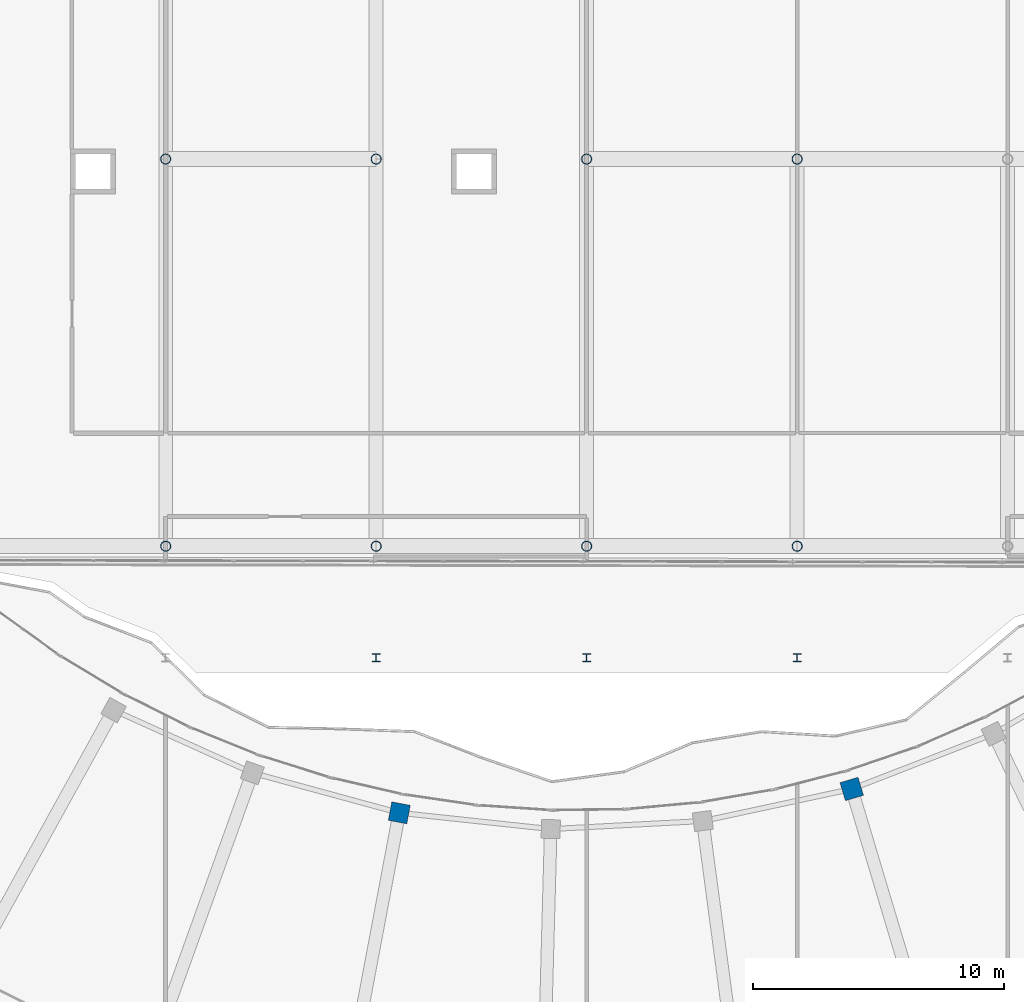
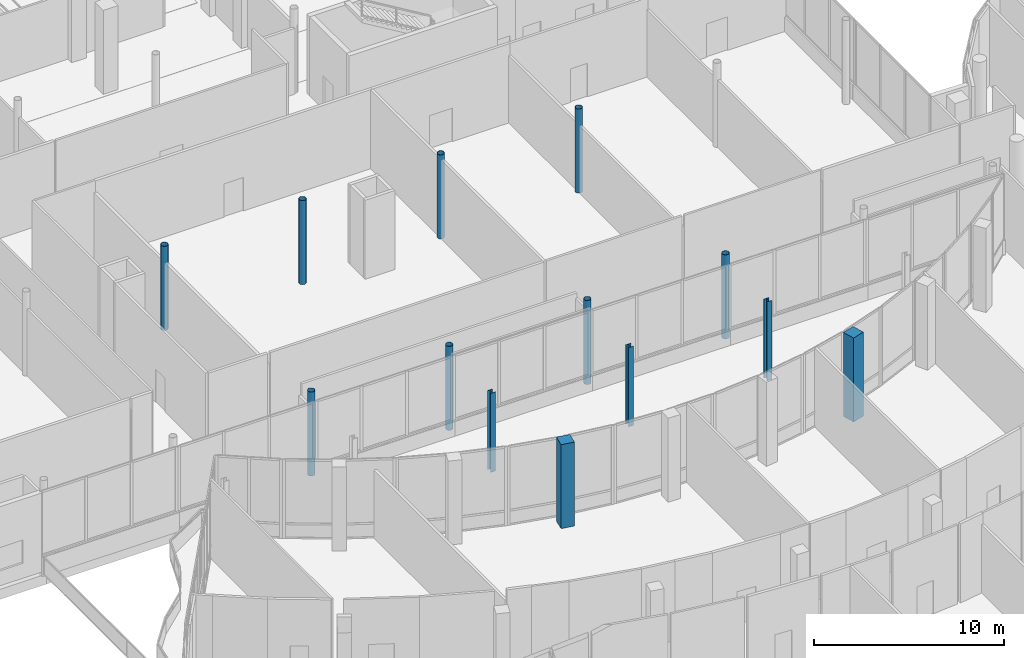
# One storey, part 3 of 158: 13 columns.
"""IFC4 building model written with IfcOpenShell, lengths in metres."""

from ifc_helpers import new_model, si_unit, direction, frame, origin, origin_2d, place, context, subcontext, project, spatial, rectangle, hollow_circle, i_section, extrude, material, material_profile, profile_set, type_object, element, save


model = new_model("IFC4")

# Units and contexts
model_context = context("Model", 3, precision=1e-05, world=origin(), true_north=direction((0.0, 1.0)))
body_context = subcontext(model_context, "Body", "Model", "MODEL_VIEW")
ifc_project = project(units=[si_unit("LENGTHUNIT", "METRE"), si_unit("AREAUNIT", "SQUARE_METRE"), si_unit("VOLUMEUNIT", "CUBIC_METRE"), si_unit("PLANEANGLEUNIT", "RADIAN"), si_unit("MASSUNIT", "GRAM", prefix="KILO")], contexts=[model_context])

# Site, building, storey
site_placement = place(None, origin())
site = spatial("IfcSite", under=ifc_project, at=site_placement, CompositionType="ELEMENT")
building_placement = place(site_placement, origin())
building = spatial("IfcBuilding", under=site, at=building_placement, Name="Selatvlak General Hospital", CompositionType="ELEMENT")
storey_placement = place(building_placement, origin())
storey = spatial("IfcBuildingStorey", under=building, at=storey_placement, Name="L00", CompositionType="ELEMENT", Elevation=0.0)

# Columns
ifc_material_1 = material(Name="Steel S355", Category="steel")
ifc_material_profile_1 = material_profile(ifc_material_1, hollow_circle(Radius=0.203125, WallThickness=0.01611328125, at=origin_2d()), Name="CHS 406.4x16")
ifc_profile_set_1 = profile_set([ifc_material_profile_1], Name="Steel S355")
column_type_1 = type_object("IfcColumnType", Name="COL-CHS406", PredefinedType="COLUMN", material=ifc_profile_set_1)
for number, where, z_axis, x_axis, name in (
    (1, (39.60009765625, 52.550048828125, 0.0), (0.0, 0.0, 1.0), (1.0, 0.0, 0.0), "Column 007 on L00"),
    (2, (39.60009765625, 68.0, 0.0), (0.0, 0.0, 1.0), (1.0, 0.0, 0.0), "Column 008 on L00"),
    (3, (48.0, 52.550048828125, 0.0), (0.0, 0.0, 1.0), (1.0, 0.0, 0.0), "Column 010 on L00"),
    (4, (48.0, 68.0, 0.0), (0.0, 0.0, 1.0), (1.0, 0.0, 0.0), "Column 011 on L00"),
    (5, (56.39990234375, 52.550048828125, 0.0), (0.0, 0.0, 1.0), (1.0, 0.0, 0.0), "Column 013 on L00"),
    (6, (56.39990234375, 68.0, 0.0), (0.0, 0.0, 1.0), (1.0, 0.0, 0.0), "Column 014 on L00"),
    (7, (64.800048828125, 52.550048828125, 0.0), (0.0, 0.0, 1.0), (1.0, 0.0, 0.0), "Column 016 on L00"),
    (8, (64.800048828125, 68.0, 0.0), (0.0, 0.0, 1.0), (1.0, 0.0, 0.0), "Column 017 on L00"),
):
    element("IfcColumn", number, at=place(storey_placement, frame(where, z_axis=z_axis, x_axis=x_axis)), inside=storey, type_object=column_type_1, Name=name, PredefinedType="COLUMN", context=body_context, shape_type="SweptSolid", body=[
        extrude(hollow_circle(Radius=0.203125, WallThickness=0.01611328125, at=origin_2d()), origin(), (0.0, 0.0, 1.0), 5.39990234375),
    ])
ifc_material_2 = material(Name="Concrete C50/60", Category="concrete")
ifc_material_profile_2 = material_profile(ifc_material_2, rectangle(XDim=0.75, YDim=0.75, at=origin_2d()), Name="RC-COL 750x750")
ifc_profile_set_2 = profile_set([ifc_material_profile_2], Name="Concrete C50/60")
column_type_2 = type_object("IfcColumnType", Name="COL-RC75", PredefinedType="COLUMN", material=ifc_profile_set_2)
for number, where, z_axis, x_axis, name in (
    (9, (48.924072265625, 41.909912109375, 0.0), (0.0, 0.0, 1.0), (0.184997729111, 0.982738948156, 0.0), "Column 319 on L00"),
    (10, (66.97900390625, 42.861083984375, 0.0), (0.0, 0.0, 1.0), (-0.286858965796, 0.957972825159, 0.0), "Column 328 on L00"),
):
    element("IfcColumn", number, at=place(storey_placement, frame(where, z_axis=z_axis, x_axis=x_axis)), inside=storey, type_object=column_type_2, Name=name, PredefinedType="COLUMN", context=body_context, shape_type="SweptSolid", body=[
        extrude(rectangle(XDim=0.75, YDim=0.75, at=origin_2d()), origin(), (0.0, 0.0, 1.0), 5.39990234375),
    ])
ifc_material_profile_3 = material_profile(ifc_material_1, i_section(OverallWidth=0.30908203125, OverallDepth=0.320556640625, WebThickness=0.013916015625, FlangeThickness=0.021728515625, at=origin_2d()), Name="UC 305x305x137")
ifc_profile_set_3 = profile_set([ifc_material_profile_3], Name="Steel S355")
column_type_3 = type_object("IfcColumnType", Name="COL-UC305", PredefinedType="COLUMN", material=ifc_profile_set_3)
for number, where, z_axis, x_axis, name in (
    (11, (48.0, 48.10009765625, 0.0), (0.0, 0.0, 1.0), (1.0, 0.0, 0.0), "Column 117 on L00"),
    (12, (56.39990234375, 48.10009765625, 0.0), (0.0, 0.0, 1.0), (1.0, 0.0, 0.0), "Column 118 on L00"),
    (13, (64.800048828125, 48.10009765625, 0.0), (0.0, 0.0, 1.0), (1.0, 0.0, 0.0), "Column 119 on L00"),
):
    element("IfcColumn", number, at=place(storey_placement, frame(where, z_axis=z_axis, x_axis=x_axis)), inside=storey, type_object=column_type_3, Name=name, PredefinedType="COLUMN", context=body_context, shape_type="SweptSolid", body=[
        extrude(i_section(OverallWidth=0.30908203125, OverallDepth=0.320556640625, WebThickness=0.013916015625, FlangeThickness=0.021728515625, at=origin_2d()), origin(), (0.0, 0.0, 1.0), 5.080078125),
    ])

save(model, "model.ifc")
